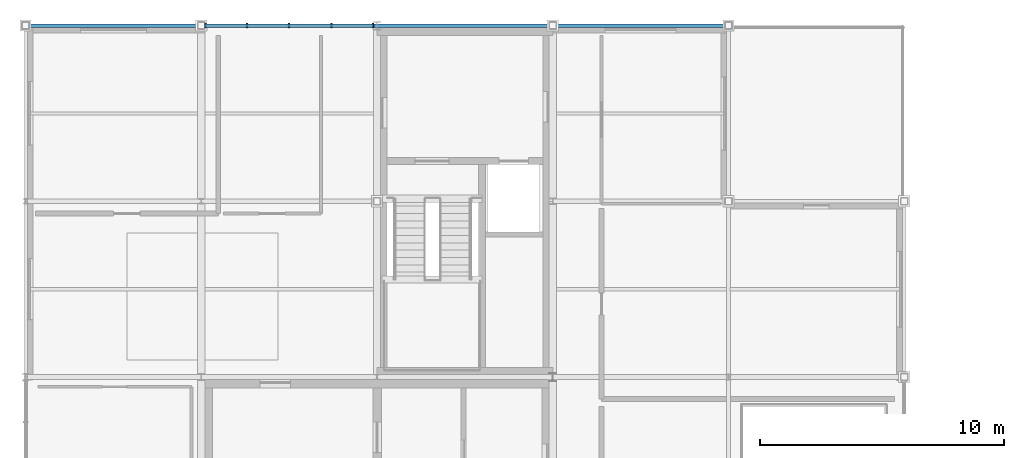
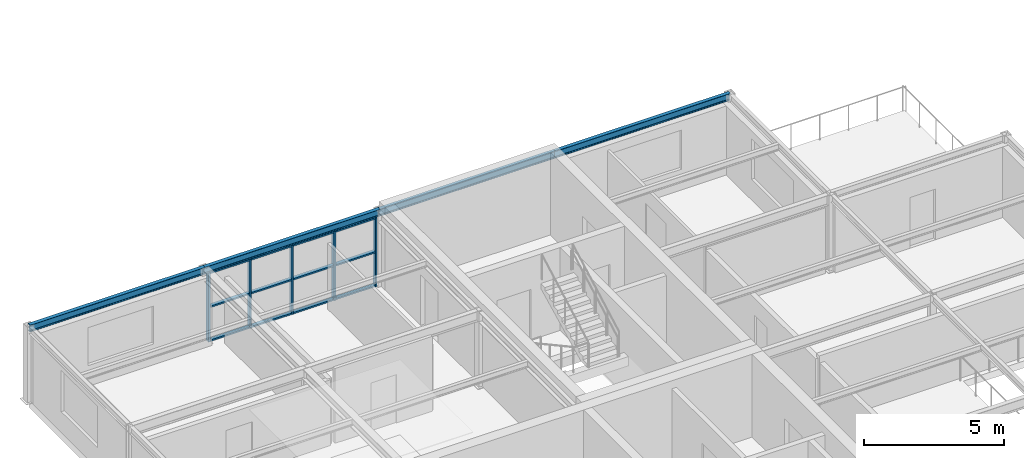
# One storey, part 10 of 22: 8 members, 4 beams, 1 element without a shape of its own.
"""IFC4 building model written with IfcOpenShell, lengths in metres."""

from ifc_helpers import new_model, si_unit, direction, frame, origin, origin_2d, place, context, subcontext, project, spatial, rectangle, i_section, extrude, material, material_profile, profile_set, type_object, element, aggregate, save


model = new_model("IFC4")

# Units and contexts
model_context = context("Model", 3, precision=1e-05, world=origin(), true_north=direction((0.0, 1.0)))
body_context = subcontext(model_context, "Body", "Model", "MODEL_VIEW")
ifc_project = project(units=[si_unit("LENGTHUNIT", "METRE"), si_unit("AREAUNIT", "SQUARE_METRE"), si_unit("VOLUMEUNIT", "CUBIC_METRE"), si_unit("PLANEANGLEUNIT", "RADIAN"), si_unit("MASSUNIT", "GRAM", prefix="KILO")], contexts=[model_context])

# Site, building, storey
site_placement = place(None, origin())
site = spatial("IfcSite", under=ifc_project, at=site_placement, CompositionType="ELEMENT")
building_placement = place(site_placement, origin())
building = spatial("IfcBuilding", under=site, at=building_placement, Name="Leyfeld Transit Interchange", CompositionType="ELEMENT")
storey_placement = place(building_placement, frame((0.0, 0.0, 18.0)))
storey = spatial("IfcBuildingStorey", under=building, at=storey_placement, Name="L04", CompositionType="ELEMENT", Elevation=18.0)

# Beams
ifc_material_1 = material(Name="Steel S355J2", Category="steel")
ifc_material_profile_1 = material_profile(ifc_material_1, i_section(OverallWidth=0.14990234375, OverallDepth=0.300048828125, WebThickness=0.007080078125, FlangeThickness=0.0107421875, FilletRadius=0.014892578125, at=origin_2d()), Name="IPE 300")
ifc_profile_set_1 = profile_set([ifc_material_profile_1], Name="Steel S355J2")
beam_type = type_object("IfcBeamType", Name="BM-STL-IPE300", PredefinedType="SPANDREL", material=ifc_profile_set_1)
for number, where, z_axis, x_axis, name in (
    (1, (0.0, 122.39990234375, 3.14990234375), (1.0, 0.0, 0.0), (0.0, 1.0, 0.0), "Beam BM-L04-0000_1224-0072_1224"),
    (2, (7.199951171875, 122.39990234375, 3.14990234375), (1.0, 0.0, 0.0), (0.0, 1.0, 0.0), "Beam BM-L04-0072_1224-0144_1224"),
):
    element("IfcBeam", number, at=place(storey_placement, frame(where, z_axis=z_axis, x_axis=x_axis)), inside=storey, type_object=beam_type, Name=name, PredefinedType="SPANDREL", context=body_context, shape_type="SweptSolid", body=[
        extrude(i_section(OverallWidth=0.14990234375, OverallDepth=0.300048828125, WebThickness=0.007080078125, FlangeThickness=0.0107421875, FilletRadius=0.014892578125, at=origin_2d()), origin(), (0.0, 0.0, 1.0), 7.199951171875),
    ])
beam_1_placement = place(storey_placement, frame((14.39990234375, 122.39990234375, 3.14990234375), z_axis=(1.0, 0.0, 0.0), x_axis=(0.0, 1.0, 0.0)))
element("IfcBeam", 3, at=beam_1_placement, inside=storey, type_object=beam_type, Name="Beam BM-L04-0144_1224-0216_1224", PredefinedType="SPANDREL", context=body_context, shape_type="SweptSolid", body=[
    extrude(i_section(OverallWidth=0.14990234375, OverallDepth=0.300048828125, WebThickness=0.007080078125, FlangeThickness=0.0107421875, FilletRadius=0.014892578125, at=origin_2d()), origin(), (0.0, 0.0, 1.0), 7.2001953125),
])
beam_2_placement = place(storey_placement, frame((21.60009765625, 122.39990234375, 3.14990234375), z_axis=(1.0, 0.0, 0.0), x_axis=(0.0, 1.0, 0.0)))
element("IfcBeam", 4, at=beam_2_placement, inside=storey, type_object=beam_type, Name="Beam BM-L04-0216_1224-0288_1224", PredefinedType="SPANDREL", context=body_context, shape_type="SweptSolid", body=[
    extrude(i_section(OverallWidth=0.14990234375, OverallDepth=0.300048828125, WebThickness=0.007080078125, FlangeThickness=0.0107421875, FilletRadius=0.014892578125, at=origin_2d()), origin(), (0.0, 0.0, 1.0), 7.199951171875),
])

# Curtain wall, members
ifc_material_2 = material(Name="Anodised aluminium EN AW-6060 T66", Category="aluminium")
curtain_wall_type = type_object("IfcCurtainWallType", Name="CW-SYS-OPS-7200", PredefinedType="NOTDEFINED", material=ifc_material_2)
curtain_wall_placement = place(storey_placement, origin())
curtain_wall = element("IfcCurtainWall", 5, at=curtain_wall_placement, inside=storey, type_object=curtain_wall_type, Name="Curtain Wall CW-L04-137", PredefinedType="NOTDEFINED")
ifc_material_profile_2 = material_profile(ifc_material_2, rectangle(XDim=0.06494140625, YDim=0.179931640625, at=origin_2d()), Name="CW-M 65x180")
ifc_profile_set_2 = profile_set([ifc_material_profile_2], Name="Anodised aluminium EN AW-6060 T66")
member_type_1 = type_object("IfcMemberType", Name="CW-MUL-150x65", PredefinedType="MULLION", material=ifc_profile_set_2)
member_1_placement = place(storey_placement, frame((7.37255859375, 122.39990234375, 0.0), z_axis=(0.0, 0.0, 1.0), x_axis=(1.0, 0.0, 0.0)))
member_1 = element("IfcMember", 6, at=member_1_placement, type_object=member_type_1, Name="Curtain Mullion CW-L04-137-M01", PredefinedType="MULLION", context=body_context, shape_type="SweptSolid", body=[
    extrude(rectangle(XDim=0.06494140625, YDim=0.179931640625, at=origin_2d()), origin(), (0.0, 0.0, 1.0), 3.0),
])
member_2_placement = place(storey_placement, frame((9.070068359375, 122.39990234375, 0.0), z_axis=(0.0, 0.0, 1.0), x_axis=(1.0, 0.0, 0.0)))
member_2 = element("IfcMember", 7, at=member_2_placement, type_object=member_type_1, Name="Curtain Mullion CW-L04-137-M02", PredefinedType="MULLION", context=body_context, shape_type="SweptSolid", body=[
    extrude(rectangle(XDim=0.06494140625, YDim=0.179931640625, at=origin_2d()), origin(), (0.0, 0.0, 1.0), 3.0),
])
member_3_placement = place(storey_placement, frame((10.800048828125, 122.39990234375, 0.0), z_axis=(0.0, 0.0, 1.0), x_axis=(1.0, 0.0, 0.0)))
member_3 = element("IfcMember", 8, at=member_3_placement, type_object=member_type_1, Name="Curtain Mullion CW-L04-137-M03", PredefinedType="MULLION", context=body_context, shape_type="SweptSolid", body=[
    extrude(rectangle(XDim=0.06494140625, YDim=0.179931640625, at=origin_2d()), origin(), (0.0, 0.0, 1.0), 3.0),
])
member_4_placement = place(storey_placement, frame((12.530029296875, 122.39990234375, 0.0), z_axis=(0.0, 0.0, 1.0), x_axis=(1.0, 0.0, 0.0)))
member_4 = element("IfcMember", 9, at=member_4_placement, type_object=member_type_1, Name="Curtain Mullion CW-L04-137-M04", PredefinedType="MULLION", context=body_context, shape_type="SweptSolid", body=[
    extrude(rectangle(XDim=0.06494140625, YDim=0.179931640625, at=origin_2d()), origin(), (0.0, 0.0, 1.0), 3.0),
])
member_5_placement = place(storey_placement, frame((14.2275390625, 122.39990234375, 0.0), z_axis=(0.0, 0.0, 1.0), x_axis=(1.0, 0.0, 0.0)))
member_5 = element("IfcMember", 10, at=member_5_placement, type_object=member_type_1, Name="Curtain Mullion CW-L04-137-M05", PredefinedType="MULLION", context=body_context, shape_type="SweptSolid", body=[
    extrude(rectangle(XDim=0.06494140625, YDim=0.179931640625, at=origin_2d()), origin(), (0.0, 0.0, 1.0), 3.0),
])
ifc_material_profile_3 = material_profile(ifc_material_2, rectangle(XDim=0.14990234375, YDim=0.06494140625, at=origin_2d()), Name="CW-TRN-135x65")
ifc_profile_set_3 = profile_set([ifc_material_profile_3], Name="Anodised aluminium EN AW-6060 T66")
member_type_2 = type_object("IfcMemberType", Name="CW-TRN-135x65", PredefinedType="USERDEFINED", material=ifc_profile_set_3)
member_6_placement = place(storey_placement, frame((7.340087890625, 122.39990234375, 0.032470703125), z_axis=(1.0, 0.0, 0.0), x_axis=(0.0, 1.0, 0.0)))
member_6 = element("IfcMember", 11, at=member_6_placement, type_object=member_type_2, Name="Curtain Transom CW-L04-137-T01", ObjectType="TRANSOM", PredefinedType="USERDEFINED", context=body_context, shape_type="SweptSolid", body=[
    extrude(rectangle(XDim=0.14990234375, YDim=0.06494140625, at=origin_2d()), origin(), (0.0, 0.0, 1.0), 6.919921875),
])
member_7_placement = place(storey_placement, frame((7.340087890625, 122.39990234375, 1.5), z_axis=(1.0, 0.0, 0.0), x_axis=(0.0, 1.0, 0.0)))
member_7 = element("IfcMember", 12, at=member_7_placement, type_object=member_type_2, Name="Curtain Transom CW-L04-137-T02", ObjectType="TRANSOM", PredefinedType="USERDEFINED", context=body_context, shape_type="SweptSolid", body=[
    extrude(rectangle(XDim=0.14990234375, YDim=0.06494140625, at=origin_2d()), origin(), (0.0, 0.0, 1.0), 6.919921875),
])
member_8_placement = place(storey_placement, frame((7.340087890625, 122.39990234375, 2.967529296875), z_axis=(1.0, 0.0, 0.0), x_axis=(0.0, 1.0, 0.0)))
member_8 = element("IfcMember", 13, at=member_8_placement, type_object=member_type_2, Name="Curtain Transom CW-L04-137-T03", ObjectType="TRANSOM", PredefinedType="USERDEFINED", context=body_context, shape_type="SweptSolid", body=[
    extrude(rectangle(XDim=0.14990234375, YDim=0.06494140625, at=origin_2d()), origin(), (0.0, 0.0, 1.0), 6.919921875),
])
aggregate(curtain_wall, [member_1, member_2, member_3, member_4, member_5, member_6, member_7, member_8])

save(model, "model.ifc")
